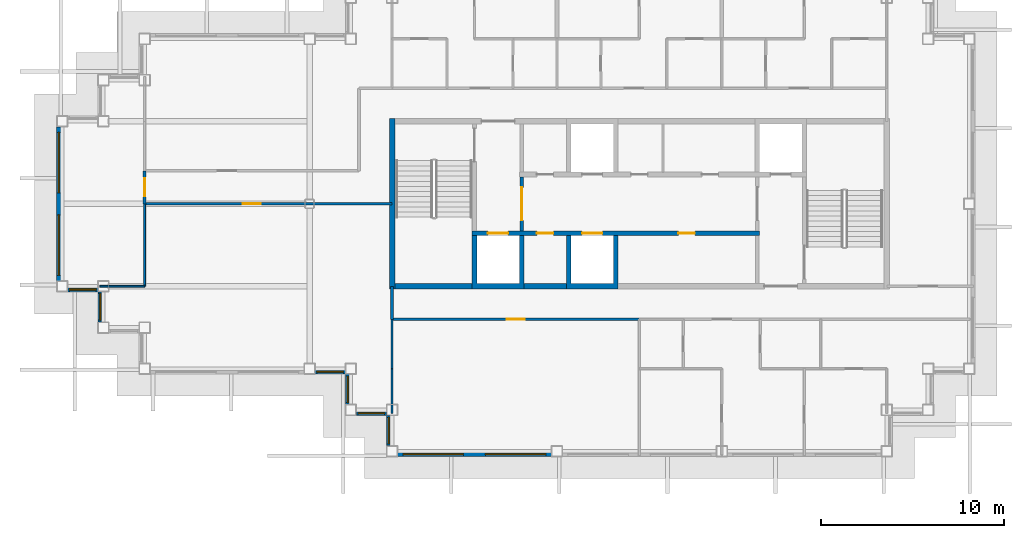
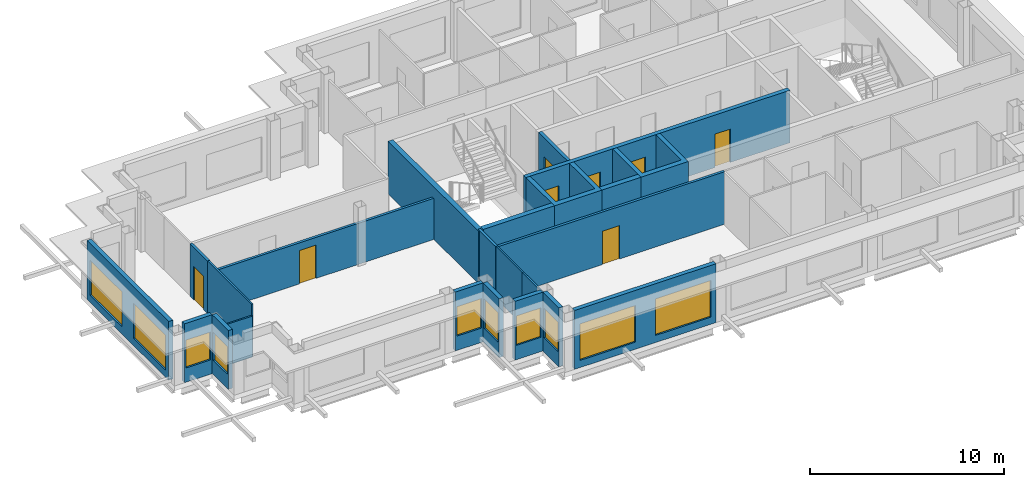
# One storey, part 2 of 11: 23 walls, 10 windows, 8 doors, 18 openings.
"""IFC4 building model written with IfcOpenShell, lengths in metres."""

from ifc_helpers import new_model, si_unit, direction, frame, frame_2d, origin, place, context, subcontext, project, spatial, polyline, rectangle, outline, extrude, material, layer, layer_set, type_object, element, fill, save


model = new_model("IFC4")

# Units and contexts
model_context = context("Model", 3, precision=1e-05, world=origin(), true_north=direction((0.0, 1.0)))
body_context = subcontext(model_context, "Body", "Model", "MODEL_VIEW")
ifc_project = project(units=[si_unit("LENGTHUNIT", "METRE"), si_unit("AREAUNIT", "SQUARE_METRE"), si_unit("VOLUMEUNIT", "CUBIC_METRE"), si_unit("PLANEANGLEUNIT", "RADIAN"), si_unit("MASSUNIT", "GRAM", prefix="KILO")], contexts=[model_context])

# Site, building, storey
site_placement = place(None, origin())
site = spatial("IfcSite", under=ifc_project, at=site_placement, CompositionType="ELEMENT")
building_placement = place(site_placement, origin())
building = spatial("IfcBuilding", under=site, at=building_placement, Name="Caravel Reach Hotel and Residences", CompositionType="ELEMENT")
storey_placement = place(building_placement, frame((0.0, 0.0, 274.89990234375)))
storey = spatial("IfcBuildingStorey", under=building, at=storey_placement, Name="L70", CompositionType="ELEMENT", Elevation=274.89990234375)

# Walls
ifc_material_1 = material(Name="Concrete C60", Category="concrete")
ifc_layer_1 = layer(ifc_material_1, 0.300048828125)
ifc_layer_set_1 = layer_set([ifc_layer_1], Name="Core wall 300 mm EI 120")
wall_type_1 = type_object("IfcWallType", Name="Core wall 300 mm EI 120", PredefinedType="SHEAR", material=ifc_layer_set_1)
wall_1_placement = place(storey_placement, frame((18.14990234375, 22.5, 0.0), z_axis=(0.0, 0.0, 1.0), x_axis=(1.0, 0.0, 0.0)))
element("IfcWall", 1, at=wall_1_placement, inside=storey, type_object=wall_type_1, Name="L70 core wall S1", PredefinedType="SHEAR", context=body_context, shape_type="SweptSolid", body=[
    extrude(rectangle(XDim=4.22509765625, YDim=0.300048828125, at=frame_2d((2.112548828125, 0.0))), origin(), (0.0, 0.0, 1.0), 3.300048828125),
])
wall_2_placement = place(storey_placement, frame((25.196533203125, 22.5, 0.0), z_axis=(0.0, 0.0, 1.0), x_axis=(1.0, 0.0, 0.0)))
element("IfcWall", 2, at=wall_2_placement, inside=storey, type_object=wall_type_1, Name="L70 core wall S2", PredefinedType="SHEAR", context=body_context, shape_type="SweptSolid", body=[
    extrude(rectangle(XDim=2.3212890625, YDim=0.300048828125, at=frame_2d((1.16064453125, 0.0))), origin(), (0.0, 0.0, 1.0), 3.300048828125),
])
wall_3_placement = place(storey_placement, frame((18.0, 22.35009765625, 0.0), z_axis=(0.0, 0.0, 1.0), x_axis=(0.0, 1.0, 0.0)))
element("IfcWall", 3, at=wall_3_placement, inside=storey, type_object=wall_type_1, Name="L70 core wall W", PredefinedType="SHEAR", context=body_context, shape_type="SweptSolid", body=[
    extrude(rectangle(XDim=9.2998046875, YDim=0.300048828125, at=frame_2d((4.64990234375, 0.0))), origin(), (0.0, 0.0, 1.0), 3.300048828125),
])

# Wall, opening, door
ifc_material_2 = material(Name="Gypsum board on steel stud, fire-rated", Category="steel")
ifc_layer_2 = layer(ifc_material_2, 0.14990234375)
ifc_layer_set_2 = layer_set([ifc_layer_2], Name="Corridor wall 150 mm EI 60")
wall_type_2 = type_object("IfcWallType", Name="Corridor wall 150 mm EI 60", PredefinedType="PARTITIONING", material=ifc_layer_set_2)
wall_4_placement = place(storey_placement, frame((18.0, 20.699951171875, 0.0), z_axis=(0.0, 0.0, 1.0), x_axis=(1.0, 0.0, 0.0)))
wall_4 = element("IfcWall", 4, at=wall_4_placement, inside=storey, type_object=wall_type_2, Name="L70 wall w001", PredefinedType="PARTITIONING", context=body_context, shape_type="SweptSolid", body=[
    extrude(rectangle(XDim=13.5, YDim=0.14990234375, at=frame_2d((6.75, 0.0))), origin(), (0.0, 0.0, 1.0), 3.300048828125),
])
opening_1_placement = place(wall_4_placement, frame((6.25, 0.0, 0.0)))
opening_1 = element("IfcOpeningElement", 5, at=opening_1_placement, cuts=wall_4, Name="Opening D70-030", PredefinedType="OPENING", context=body_context, shape_type="SweptSolid", body=[
    extrude(rectangle(XDim=1.0, YDim=2.10009765625, at=frame_2d((0.5, 1.050048828125))), frame((0.0, 0.0849609375, 0.0), z_axis=(0.0, -1.0, 0.0), x_axis=(1.0, 0.0, 0.0)), (0.0, 0.0, 1.0), 0.169921875),
])
ifc_material_3 = material(Name="Steel fire door leaf", Category="steel")
door_type_1 = type_object("IfcDoorType", Name="Fire door 1000 x 2100 EI 60", OperationType="SINGLE_SWING_LEFT", PredefinedType="DOOR", material=ifc_material_3)
door_1_placement = place(opening_1_placement, origin())
door_1 = element("IfcDoor", 6, at=door_1_placement, inside=storey, type_object=door_type_1, Name="door D70-030", OperationType="SINGLE_SWING_LEFT", OverallHeight=2.10009765625, OverallWidth=1.0, PredefinedType="DOOR", context=body_context, shape_type="SweptSolid", body=[
    extrude(rectangle(XDim=1.0, YDim=2.10009765625, at=frame_2d((0.5, 1.050048828125))), frame((0.0, 0.02490234375, 0.0), z_axis=(0.0, -1.0, 0.0), x_axis=(1.0, 0.0, 0.0)), (0.0, 0.0, 1.0), 0.050048828125),
])
fill(opening_1, door_1)

wall_5_placement = place(storey_placement, frame((4.5, 27.0, 0.0), z_axis=(0.0, 0.0, 1.0), x_axis=(1.0, 0.0, 0.0)))
wall_5 = element("IfcWall", 7, at=wall_5_placement, inside=storey, type_object=wall_type_2, Name="L70 wall w007", PredefinedType="PARTITIONING", context=body_context, shape_type="SweptSolid", body=[
    extrude(rectangle(XDim=13.5, YDim=0.14990234375, at=frame_2d((6.75, 0.0))), origin(), (0.0, 0.0, 1.0), 2.580078125),
])
opening_2_placement = place(wall_5_placement, frame((5.35009765625, 0.0, 0.0)))
opening_2 = element("IfcOpeningElement", 8, at=opening_2_placement, cuts=wall_5, Name="Opening D70-029", PredefinedType="OPENING", context=body_context, shape_type="SweptSolid", body=[
    extrude(rectangle(XDim=1.0, YDim=2.10009765625, at=frame_2d((0.5, 1.050048828125))), frame((0.0, 0.0849609375, 0.0), z_axis=(0.0, -1.0, 0.0), x_axis=(1.0, 0.0, 0.0)), (0.0, 0.0, 1.0), 0.169921875),
])
door_2_placement = place(opening_2_placement, origin())
door_2 = element("IfcDoor", 9, at=door_2_placement, inside=storey, type_object=door_type_1, Name="door D70-029", OperationType="SINGLE_SWING_LEFT", OverallHeight=2.10009765625, OverallWidth=1.0, PredefinedType="DOOR", context=body_context, shape_type="SweptSolid", body=[
    extrude(rectangle(XDim=1.0, YDim=2.10009765625, at=frame_2d((0.5, 1.050048828125))), frame((0.0, 0.02490234375, 0.0), z_axis=(0.0, -1.0, 0.0), x_axis=(1.0, 0.0, 0.0)), (0.0, 0.0, 1.0), 0.050048828125),
])
fill(opening_2, door_2)

# Wall
wall_6_placement = place(storey_placement, frame((18.0, 20.699951171875, 0.0), z_axis=(0.0, 0.0, 1.0), x_axis=(0.0, 1.0, 0.0)))
element("IfcWall", 10, at=wall_6_placement, inside=storey, type_object=wall_type_2, Name="L70 wall w018", PredefinedType="PARTITIONING", context=body_context, shape_type="SweptSolid", body=[
    extrude(rectangle(XDim=1.800048828125, YDim=0.14990234375, at=frame_2d((0.89990234375, 0.0))), origin(), (0.0, 0.0, 1.0), 3.300048828125),
])

# Wall, opening, door
wall_7_placement = place(storey_placement, frame((4.5, 27.0, 0.0), z_axis=(0.0, 0.0, 1.0), x_axis=(0.0, 1.0, 0.0)))
wall_7 = element("IfcWall", 11, at=wall_7_placement, inside=storey, type_object=wall_type_2, Name="L70 wall w019", PredefinedType="PARTITIONING", context=body_context, shape_type="SweptSolid", body=[
    extrude(rectangle(XDim=1.800048828125, YDim=0.14990234375, at=frame_2d((0.89990234375, 0.0))), origin(), (0.0, 0.0, 1.0), 3.300048828125),
])
opening_3_placement = place(wall_7_placement, frame((0.39990234375, 0.0, 0.0)))
opening_3 = element("IfcOpeningElement", 12, at=opening_3_placement, cuts=wall_7, Name="Opening D70-037", PredefinedType="OPENING", context=body_context, shape_type="SweptSolid", body=[
    extrude(rectangle(XDim=1.0, YDim=2.10009765625, at=frame_2d((0.5, 1.050048828125))), frame((0.0, 0.0849609375, 0.0), z_axis=(0.0, -1.0, 0.0), x_axis=(1.0, 0.0, 0.0)), (0.0, 0.0, 1.0), 0.169921875),
])
door_3_placement = place(opening_3_placement, origin())
door_3 = element("IfcDoor", 13, at=door_3_placement, inside=storey, type_object=door_type_1, Name="door D70-037", OperationType="SINGLE_SWING_RIGHT", OverallHeight=2.10009765625, OverallWidth=1.0, PredefinedType="DOOR", context=body_context, shape_type="SweptSolid", body=[
    extrude(rectangle(XDim=1.0, YDim=2.10009765625, at=frame_2d((0.5, 1.050048828125))), frame((0.0, 0.02490234375, 0.0), z_axis=(0.0, -1.0, 0.0), x_axis=(1.0, 0.0, 0.0)), (0.0, 0.0, 1.0), 0.050048828125),
])
fill(opening_3, door_3)

# Wall, opening, window
ifc_material_4 = material(Name="Insulated rainscreen wall, aluminium cladding", Category="aluminium")
ifc_layer_3 = layer(ifc_material_4, 0.25)
ifc_layer_set_3 = layer_set([ifc_layer_3], Name="EW1 Tower rainscreen wall")
wall_type_3 = type_object("IfcWallType", Name="EW1 Tower rainscreen wall", PredefinedType="SOLIDWALL", material=ifc_layer_set_3)
wall_8_placement = place(storey_placement, frame((15.574951171875, 17.699951171875, 0.0), z_axis=(0.0, 0.0, 1.0), x_axis=(0.0, -1.0, 0.0)))
wall_8 = element("IfcWall", 14, at=wall_8_placement, inside=storey, type_object=wall_type_3, Name="External wall L70 W1.1", PredefinedType="SOLIDWALL", context=body_context, shape_type="SweptSolid", body=[
    extrude(rectangle(XDim=1.64990234375, YDim=0.25, at=frame_2d((0.824951171875, 0.0))), origin(), (0.0, 0.0, 1.0), 3.7001953125),
])
opening_4_placement = place(wall_8_placement, frame((0.10009765625, 0.0, 0.89990234375)))
opening_4 = element("IfcOpeningElement", 15, at=opening_4_placement, cuts=wall_8, Name="Opening WN25", PredefinedType="OPENING", context=body_context, shape_type="SweptSolid", body=[
    extrude(rectangle(XDim=1.449951171875, YDim=1.85009765625, at=frame_2d((0.72509765625, 0.925048828125))), frame((0.0, 0.135009765625, 0.0), z_axis=(0.0, -1.0, 0.0), x_axis=(1.0, 0.0, 0.0)), (0.0, 0.0, 1.0), 0.27001953125),
])
ifc_material_5 = material(Name="Dark low-e glazing in black aluminium frame", Category="aluminium")
window_type_1 = type_object("IfcWindowType", Name="Residence bedroom window 1450 x 1850", PartitioningType="SINGLE_PANEL", PredefinedType="WINDOW", material=ifc_material_5)
window_1_placement = place(opening_4_placement, origin())
window_1 = element("IfcWindow", 16, at=window_1_placement, inside=storey, type_object=window_type_1, Name="Window L70 W1.1.1", OverallHeight=1.85009765625, OverallWidth=1.449951171875, PartitioningType="SINGLE_PANEL", PredefinedType="WINDOW", context=body_context, shape_type="SweptSolid", body=[
    extrude(rectangle(XDim=1.449951171875, YDim=1.85009765625, at=frame_2d((0.72509765625, 0.925048828125))), frame((0.0, 0.030029296875, 0.0), z_axis=(0.0, -1.0, 0.0), x_axis=(1.0, 0.0, 0.0)), (0.0, 0.0, 1.0), 0.06005859375),
])
fill(opening_4, window_1)

wall_9_placement = place(storey_placement, frame((16.050048828125, 15.574951171875, 0.0), z_axis=(0.0, 0.0, 1.0), x_axis=(1.0, 0.0, 0.0)))
wall_9 = element("IfcWall", 17, at=wall_9_placement, inside=storey, type_object=wall_type_3, Name="External wall L70 S2.1", PredefinedType="SOLIDWALL", context=body_context, shape_type="SweptSolid", body=[
    extrude(rectangle(XDim=1.64990234375, YDim=0.25, at=frame_2d((0.824951171875, 0.0))), origin(), (0.0, 0.0, 1.0), 3.7001953125),
])
opening_5_placement = place(wall_9_placement, frame((0.10009765625, 0.0, 0.89990234375)))
opening_5 = element("IfcOpeningElement", 18, at=opening_5_placement, cuts=wall_9, Name="Opening WN25", PredefinedType="OPENING", context=body_context, shape_type="SweptSolid", body=[
    extrude(rectangle(XDim=1.449951171875, YDim=1.85009765625, at=frame_2d((0.72509765625, 0.925048828125))), frame((0.0, 0.135009765625, 0.0), z_axis=(0.0, -1.0, 0.0), x_axis=(1.0, 0.0, 0.0)), (0.0, 0.0, 1.0), 0.27001953125),
])
window_2_placement = place(opening_5_placement, origin())
window_2 = element("IfcWindow", 19, at=window_2_placement, inside=storey, type_object=window_type_1, Name="Window L70 S2.1.1", OverallHeight=1.85009765625, OverallWidth=1.449951171875, PartitioningType="SINGLE_PANEL", PredefinedType="WINDOW", context=body_context, shape_type="SweptSolid", body=[
    extrude(rectangle(XDim=1.449951171875, YDim=1.85009765625, at=frame_2d((0.72509765625, 0.925048828125))), frame((0.0, 0.030029296875, 0.0), z_axis=(0.0, -1.0, 0.0), x_axis=(1.0, 0.0, 0.0)), (0.0, 0.0, 1.0), 0.06005859375),
])
fill(opening_5, window_2)

wall_10_placement = place(storey_placement, frame((17.824951171875, 15.449951171875, 0.0), z_axis=(0.0, 0.0, 1.0), x_axis=(0.0, -1.0, 0.0)))
wall_10 = element("IfcWall", 20, at=wall_10_placement, inside=storey, type_object=wall_type_3, Name="External wall L70 W3.1", PredefinedType="SOLIDWALL", context=body_context, shape_type="SweptSolid", body=[
    extrude(rectangle(XDim=1.64990234375, YDim=0.25, at=frame_2d((0.824951171875, 0.0))), origin(), (0.0, 0.0, 1.0), 3.7001953125),
])
opening_6_placement = place(wall_10_placement, frame((0.10009765625, 0.0, 0.89990234375)))
opening_6 = element("IfcOpeningElement", 21, at=opening_6_placement, cuts=wall_10, Name="Opening WN25", PredefinedType="OPENING", context=body_context, shape_type="SweptSolid", body=[
    extrude(rectangle(XDim=1.449951171875, YDim=1.85009765625, at=frame_2d((0.72509765625, 0.925048828125))), frame((0.0, 0.135009765625, 0.0), z_axis=(0.0, -1.0, 0.0), x_axis=(1.0, 0.0, 0.0)), (0.0, 0.0, 1.0), 0.27001953125),
])
window_3_placement = place(opening_6_placement, origin())
window_3 = element("IfcWindow", 22, at=window_3_placement, inside=storey, type_object=window_type_1, Name="Window L70 W3.1.1", OverallHeight=1.85009765625, OverallWidth=1.449951171875, PartitioningType="SINGLE_PANEL", PredefinedType="WINDOW", context=body_context, shape_type="SweptSolid", body=[
    extrude(rectangle(XDim=1.449951171875, YDim=1.85009765625, at=frame_2d((0.72509765625, 0.925048828125))), frame((0.0, 0.030029296875, 0.0), z_axis=(0.0, -1.0, 0.0), x_axis=(1.0, 0.0, 0.0)), (0.0, 0.0, 1.0), 0.06005859375),
])
fill(opening_6, window_3)

# Wall, openings, windows
wall_11_placement = place(storey_placement, frame((18.300048828125, 13.324951171875, 0.0), z_axis=(0.0, 0.0, 1.0), x_axis=(1.0, 0.0, 0.0)))
wall_11 = element("IfcWall", 23, at=wall_11_placement, inside=storey, type_object=wall_type_3, Name="External wall L70 S4.1", PredefinedType="SOLIDWALL", context=body_context, shape_type="SweptSolid", body=[
    extrude(rectangle(XDim=8.39990234375, YDim=0.25, at=frame_2d((4.199951171875, 0.0))), origin(), (0.0, 0.0, 1.0), 3.7001953125),
])
opening_7_placement = place(wall_11_placement, frame((0.300048828125, 0.0, 0.449951171875)))
opening_7 = element("IfcOpeningElement", 24, at=opening_7_placement, cuts=wall_11, Name="Opening WN15", PredefinedType="OPENING", context=body_context, shape_type="SweptSolid", body=[
    extrude(rectangle(XDim=3.300048828125, YDim=2.300048828125, at=frame_2d((1.64990234375, 1.14990234375))), frame((0.0, 0.135009765625, 0.0), z_axis=(0.0, -1.0, 0.0), x_axis=(1.0, 0.0, 0.0)), (0.0, 0.0, 1.0), 0.27001953125),
])
opening_8_placement = place(wall_11_placement, frame((4.800048828125, 0.0, 0.449951171875)))
opening_8 = element("IfcOpeningElement", 25, at=opening_8_placement, cuts=wall_11, Name="Opening WN15", PredefinedType="OPENING", context=body_context, shape_type="SweptSolid", body=[
    extrude(rectangle(XDim=3.300048828125, YDim=2.300048828125, at=frame_2d((1.64990234375, 1.14990234375))), frame((0.0, 0.135009765625, 0.0), z_axis=(0.0, -1.0, 0.0), x_axis=(1.0, 0.0, 0.0)), (0.0, 0.0, 1.0), 0.27001953125),
])
ifc_material_6 = material(Name="Dark low-e glazing in black aluminium frame", Category="aluminium")
window_type_2 = type_object("IfcWindowType", Name="Residence living window 3300 x 2300", PartitioningType="SINGLE_PANEL", PredefinedType="WINDOW", material=ifc_material_6)
window_4_placement = place(opening_7_placement, origin())
window_4 = element("IfcWindow", 26, at=window_4_placement, inside=storey, type_object=window_type_2, Name="Window L70 S4.1.1", OverallHeight=2.300048828125, OverallWidth=3.300048828125, PartitioningType="SINGLE_PANEL", PredefinedType="WINDOW", context=body_context, shape_type="SweptSolid", body=[
    extrude(rectangle(XDim=3.300048828125, YDim=2.300048828125, at=frame_2d((1.64990234375, 1.14990234375))), frame((0.0, 0.030029296875, 0.0), z_axis=(0.0, -1.0, 0.0), x_axis=(1.0, 0.0, 0.0)), (0.0, 0.0, 1.0), 0.06005859375),
])
fill(opening_7, window_4)
window_5_placement = place(opening_8_placement, origin())
window_5 = element("IfcWindow", 27, at=window_5_placement, inside=storey, type_object=window_type_2, Name="Window L70 S4.1.2", OverallHeight=2.300048828125, OverallWidth=3.300048828125, PartitioningType="SINGLE_PANEL", PredefinedType="WINDOW", context=body_context, shape_type="SweptSolid", body=[
    extrude(rectangle(XDim=3.300048828125, YDim=2.300048828125, at=frame_2d((1.64990234375, 1.14990234375))), frame((0.0, 0.030029296875, 0.0), z_axis=(0.0, -1.0, 0.0), x_axis=(1.0, 0.0, 0.0)), (0.0, 0.0, 1.0), 0.06005859375),
])
fill(opening_8, window_5)

wall_12_placement = place(storey_placement, frame((-0.175048828125, 31.199951171875, 0.0), z_axis=(0.0, 0.0, 1.0), x_axis=(0.0, -1.0, 0.0)))
wall_12 = element("IfcWall", 28, at=wall_12_placement, inside=storey, type_object=wall_type_3, Name="External wall L70 W23.1", PredefinedType="SOLIDWALL", context=body_context, shape_type="SweptSolid", body=[
    extrude(rectangle(XDim=8.39990234375, YDim=0.25, at=frame_2d((4.199951171875, 0.0))), origin(), (0.0, 0.0, 1.0), 3.7001953125),
])
opening_9_placement = place(wall_12_placement, frame((0.300048828125, 0.0, 0.449951171875)))
opening_9 = element("IfcOpeningElement", 29, at=opening_9_placement, cuts=wall_12, Name="Opening WN19", PredefinedType="OPENING", context=body_context, shape_type="SweptSolid", body=[
    extrude(rectangle(XDim=3.300048828125, YDim=2.199951171875, at=frame_2d((1.64990234375, 1.10009765625))), frame((0.0, 0.135009765625, 0.0), z_axis=(0.0, -1.0, 0.0), x_axis=(1.0, 0.0, 0.0)), (0.0, 0.0, 1.0), 0.27001953125),
])
opening_10_placement = place(wall_12_placement, frame((4.800048828125, 0.0, 0.449951171875)))
opening_10 = element("IfcOpeningElement", 30, at=opening_10_placement, cuts=wall_12, Name="Opening WN19", PredefinedType="OPENING", context=body_context, shape_type="SweptSolid", body=[
    extrude(rectangle(XDim=3.300048828125, YDim=2.199951171875, at=frame_2d((1.64990234375, 1.10009765625))), frame((0.0, 0.135009765625, 0.0), z_axis=(0.0, -1.0, 0.0), x_axis=(1.0, 0.0, 0.0)), (0.0, 0.0, 1.0), 0.27001953125),
])
ifc_material_7 = material(Name="Dark low-e glazing in black aluminium frame", Category="aluminium")
window_type_3 = type_object("IfcWindowType", Name="Residence living window 3300 x 2200", PartitioningType="SINGLE_PANEL", PredefinedType="WINDOW", material=ifc_material_7)
window_6_placement = place(opening_9_placement, origin())
window_6 = element("IfcWindow", 31, at=window_6_placement, inside=storey, type_object=window_type_3, Name="Window L70 W23.1.1", OverallHeight=2.199951171875, OverallWidth=3.300048828125, PartitioningType="SINGLE_PANEL", PredefinedType="WINDOW", context=body_context, shape_type="SweptSolid", body=[
    extrude(rectangle(XDim=3.300048828125, YDim=2.199951171875, at=frame_2d((1.64990234375, 1.10009765625))), frame((0.0, 0.030029296875, 0.0), z_axis=(0.0, -1.0, 0.0), x_axis=(1.0, 0.0, 0.0)), (0.0, 0.0, 1.0), 0.06005859375),
])
fill(opening_9, window_6)
window_7_placement = place(opening_10_placement, origin())
window_7 = element("IfcWindow", 32, at=window_7_placement, inside=storey, type_object=window_type_3, Name="Window L70 W23.1.2", OverallHeight=2.199951171875, OverallWidth=3.300048828125, PartitioningType="SINGLE_PANEL", PredefinedType="WINDOW", context=body_context, shape_type="SweptSolid", body=[
    extrude(rectangle(XDim=3.300048828125, YDim=2.199951171875, at=frame_2d((1.64990234375, 1.10009765625))), frame((0.0, 0.030029296875, 0.0), z_axis=(0.0, -1.0, 0.0), x_axis=(1.0, 0.0, 0.0)), (0.0, 0.0, 1.0), 0.06005859375),
])
fill(opening_10, window_7)

# Wall, opening, window
wall_13_placement = place(storey_placement, frame((0.300048828125, 22.324951171875, 0.0), z_axis=(0.0, 0.0, 1.0), x_axis=(1.0, 0.0, 0.0)))
wall_13 = element("IfcWall", 33, at=wall_13_placement, inside=storey, type_object=wall_type_3, Name="External wall L70 S24.1", PredefinedType="SOLIDWALL", context=body_context, shape_type="SweptSolid", body=[
    extrude(rectangle(XDim=1.64990234375, YDim=0.25, at=frame_2d((0.824951171875, 0.0))), origin(), (0.0, 0.0, 1.0), 3.7001953125),
])
opening_11_placement = place(wall_13_placement, frame((0.10009765625, 0.0, 0.89990234375)))
opening_11 = element("IfcOpeningElement", 34, at=opening_11_placement, cuts=wall_13, Name="Opening WN26", PredefinedType="OPENING", context=body_context, shape_type="SweptSolid", body=[
    extrude(rectangle(XDim=1.449951171875, YDim=1.75, at=frame_2d((0.72509765625, 0.875))), frame((0.0, 0.135009765625, 0.0), z_axis=(0.0, -1.0, 0.0), x_axis=(1.0, 0.0, 0.0)), (0.0, 0.0, 1.0), 0.27001953125),
])
ifc_material_8 = material(Name="Dark low-e glazing in black aluminium frame", Category="aluminium")
window_type_4 = type_object("IfcWindowType", Name="Residence bedroom window 1450 x 1750", PartitioningType="SINGLE_PANEL", PredefinedType="WINDOW", material=ifc_material_8)
window_8_placement = place(opening_11_placement, origin())
window_8 = element("IfcWindow", 35, at=window_8_placement, inside=storey, type_object=window_type_4, Name="Window L70 S24.1.1", OverallHeight=1.75, OverallWidth=1.449951171875, PartitioningType="SINGLE_PANEL", PredefinedType="WINDOW", context=body_context, shape_type="SweptSolid", body=[
    extrude(rectangle(XDim=1.449951171875, YDim=1.75, at=frame_2d((0.72509765625, 0.875))), frame((0.0, 0.030029296875, 0.0), z_axis=(0.0, -1.0, 0.0), x_axis=(1.0, 0.0, 0.0)), (0.0, 0.0, 1.0), 0.06005859375),
])
fill(opening_11, window_8)

wall_14_placement = place(storey_placement, frame((2.074951171875, 22.199951171875, 0.0), z_axis=(0.0, 0.0, 1.0), x_axis=(0.0, -1.0, 0.0)))
wall_14 = element("IfcWall", 36, at=wall_14_placement, inside=storey, type_object=wall_type_3, Name="External wall L70 W25.1", PredefinedType="SOLIDWALL", context=body_context, shape_type="SweptSolid", body=[
    extrude(rectangle(XDim=1.64990234375, YDim=0.25, at=frame_2d((0.824951171875, 0.0))), origin(), (0.0, 0.0, 1.0), 3.7001953125),
])
opening_12_placement = place(wall_14_placement, frame((0.10009765625, 0.0, 0.89990234375)))
opening_12 = element("IfcOpeningElement", 37, at=opening_12_placement, cuts=wall_14, Name="Opening WN26", PredefinedType="OPENING", context=body_context, shape_type="SweptSolid", body=[
    extrude(rectangle(XDim=1.449951171875, YDim=1.75, at=frame_2d((0.72509765625, 0.875))), frame((0.0, 0.135009765625, 0.0), z_axis=(0.0, -1.0, 0.0), x_axis=(1.0, 0.0, 0.0)), (0.0, 0.0, 1.0), 0.27001953125),
])
window_9_placement = place(opening_12_placement, origin())
window_9 = element("IfcWindow", 38, at=window_9_placement, inside=storey, type_object=window_type_4, Name="Window L70 W25.1.1", OverallHeight=1.75, OverallWidth=1.449951171875, PartitioningType="SINGLE_PANEL", PredefinedType="WINDOW", context=body_context, shape_type="SweptSolid", body=[
    extrude(rectangle(XDim=1.449951171875, YDim=1.75, at=frame_2d((0.72509765625, 0.875))), frame((0.0, 0.030029296875, 0.0), z_axis=(0.0, -1.0, 0.0), x_axis=(1.0, 0.0, 0.0)), (0.0, 0.0, 1.0), 0.06005859375),
])
fill(opening_12, window_9)

wall_15_placement = place(storey_placement, frame((13.800048828125, 17.824951171875, 0.0), z_axis=(0.0, 0.0, 1.0), x_axis=(1.0, 0.0, 0.0)))
wall_15 = element("IfcWall", 39, at=wall_15_placement, inside=storey, type_object=wall_type_3, Name="External wall L70 S28.2", PredefinedType="SOLIDWALL", context=body_context, shape_type="SweptSolid", body=[
    extrude(rectangle(XDim=1.64990234375, YDim=0.25, at=frame_2d((0.824951171875, 0.0))), origin(), (0.0, 0.0, 1.0), 3.7001953125),
])
opening_13_placement = place(wall_15_placement, frame((0.10009765625, 0.0, 0.89990234375)))
opening_13 = element("IfcOpeningElement", 40, at=opening_13_placement, cuts=wall_15, Name="Opening WN25", PredefinedType="OPENING", context=body_context, shape_type="SweptSolid", body=[
    extrude(rectangle(XDim=1.449951171875, YDim=1.85009765625, at=frame_2d((0.72509765625, 0.925048828125))), frame((0.0, 0.135009765625, 0.0), z_axis=(0.0, -1.0, 0.0), x_axis=(1.0, 0.0, 0.0)), (0.0, 0.0, 1.0), 0.27001953125),
])
window_10_placement = place(opening_13_placement, origin())
window_10 = element("IfcWindow", 41, at=window_10_placement, inside=storey, type_object=window_type_1, Name="Window L70 S28.2.1", OverallHeight=1.85009765625, OverallWidth=1.449951171875, PartitioningType="SINGLE_PANEL", PredefinedType="WINDOW", context=body_context, shape_type="SweptSolid", body=[
    extrude(rectangle(XDim=1.449951171875, YDim=1.85009765625, at=frame_2d((0.72509765625, 0.925048828125))), frame((0.0, 0.030029296875, 0.0), z_axis=(0.0, -1.0, 0.0), x_axis=(1.0, 0.0, 0.0)), (0.0, 0.0, 1.0), 0.06005859375),
])
fill(opening_13, window_10)

# Wall, opening, door
ifc_material_9 = material(Name="Autoclaved aerated block wall")
ifc_layer_4 = layer(ifc_material_9, 0.199951171875)
ifc_layer_set_4 = layer_set([ifc_layer_4], Name="Fire lobby wall 200 mm EI 120")
wall_type_4 = type_object("IfcWallType", Name="Fire lobby wall 200 mm EI 120", PredefinedType="PARTITIONING", material=ifc_layer_set_4)
wall_16_placement = place(storey_placement, frame((25.071533203125, 25.52490234375, 0.0), z_axis=(0.0, 0.0, 1.0), x_axis=(0.0, 1.0, 0.0)))
wall_16 = element("IfcWall", 42, at=wall_16_placement, inside=storey, type_object=wall_type_4, Name="L70 lobby W wall", PredefinedType="PARTITIONING", context=body_context, shape_type="SweptSolid", body=[
    extrude(rectangle(XDim=2.9501953125, YDim=0.199951171875, at=frame_2d((1.47509765625, 0.0))), origin(), (0.0, 0.0, 1.0), 3.300048828125),
])
opening_14_placement = place(wall_16_placement, frame((0.574951171875, 0.0, 0.0)))
opening_14 = element("IfcOpeningElement", 43, at=opening_14_placement, cuts=wall_16, Name="Opening D70-012", PredefinedType="OPENING", context=body_context, shape_type="SweptSolid", body=[
    extrude(rectangle(XDim=1.800048828125, YDim=2.10009765625, at=frame_2d((0.89990234375, 1.050048828125))), frame((0.0, 0.10986328125, 0.0), z_axis=(0.0, -1.0, 0.0), x_axis=(1.0, 0.0, 0.0)), (0.0, 0.0, 1.0), 0.219970703125),
])
ifc_material_10 = material(Name="Steel fire door leaf", Category="steel")
door_type_2 = type_object("IfcDoorType", Name="Fire lobby door pair 1800 x 2100 EI 90", OperationType="DOUBLE_DOOR_SINGLE_SWING", PredefinedType="DOOR", material=ifc_material_10)
door_4_placement = place(opening_14_placement, origin())
door_4 = element("IfcDoor", 44, at=door_4_placement, inside=storey, type_object=door_type_2, Name="lobby W door pair", OperationType="DOUBLE_DOOR_SINGLE_SWING", OverallHeight=2.10009765625, OverallWidth=1.800048828125, PredefinedType="DOOR", context=body_context, shape_type="SweptSolid", body=[
    extrude(rectangle(XDim=1.800048828125, YDim=2.10009765625, at=frame_2d((0.89990234375, 1.050048828125))), frame((0.0, 0.02490234375, 0.0), z_axis=(0.0, -1.0, 0.0), x_axis=(1.0, 0.0, 0.0)), (0.0, 0.0, 1.0), 0.050048828125),
])
fill(opening_14, door_4)

# Walls
ifc_material_11 = material(Name="Gypsum board on steel stud", Category="steel")
ifc_layer_5 = layer(ifc_material_11, 0.10009765625)
ifc_layer_set_5 = layer_set([ifc_layer_5], Name="Partition 100 mm")
wall_type_5 = type_object("IfcWallType", Name="Partition 100 mm", PredefinedType="PARTITIONING", material=ifc_layer_set_5)
wall_17_placement = place(storey_placement, frame((2.06005859375, 22.5, 0.0), z_axis=(0.0, 0.0, 1.0), x_axis=(1.0, 0.0, 0.0)))
element("IfcWall", 45, at=wall_17_placement, inside=storey, type_object=wall_type_5, Name="L70 wall w025", PredefinedType="PARTITIONING", context=body_context, shape_type="SweptSolid", body=[
    extrude(rectangle(XDim=2.43896484375, YDim=0.10009765625, at=frame_2d((1.219482421875, 0.0))), origin(), (0.0, 0.0, 1.0), 2.580078125),
])
wall_18_placement = place(storey_placement, frame((18.0, 15.56005859375, 0.0), z_axis=(0.0, 0.0, 1.0), x_axis=(0.0, 1.0, 0.0)))
element("IfcWall", 46, at=wall_18_placement, inside=storey, type_object=wall_type_5, Name="L70 wall w034", PredefinedType="PARTITIONING", context=body_context, shape_type="SweptSolid", body=[
    extrude(rectangle(XDim=2.43896484375, YDim=0.10009765625, at=frame_2d((1.219482421875, 0.0))), origin(), (0.0, 0.0, 1.0), 3.300048828125),
])
wall_19_placement = place(storey_placement, frame((18.0, 18.0, 0.0), z_axis=(0.0, 0.0, 1.0), x_axis=(0.0, 1.0, 0.0)))
element("IfcWall", 47, at=wall_19_placement, inside=storey, type_object=wall_type_5, Name="L70 wall w035", PredefinedType="PARTITIONING", context=body_context, shape_type="SweptSolid", body=[
    extrude(rectangle(XDim=2.699951171875, YDim=0.10009765625, at=frame_2d((1.35009765625, 0.0))), origin(), (0.0, 0.0, 1.0), 3.300048828125),
])
wall_20_placement = place(storey_placement, frame((4.5, 22.5, 0.0), z_axis=(0.0, 0.0, 1.0), x_axis=(0.0, 1.0, 0.0)))
element("IfcWall", 48, at=wall_20_placement, inside=storey, type_object=wall_type_5, Name="L70 wall w045", PredefinedType="PARTITIONING", context=body_context, shape_type="SweptSolid", body=[
    extrude(rectangle(XDim=4.5, YDim=0.10009765625, at=frame_2d((2.25, 0.0))), origin(), (0.0, 0.0, 1.0), 3.300048828125),
])
ifc_material_12 = material(Name="Concrete C60", Category="concrete")
ifc_layer_6 = layer(ifc_material_12, 0.25)
ifc_layer_set_6 = layer_set([ifc_layer_6], Name="Shaft wall 250 mm EI 120")
wall_type_6 = type_object("IfcWallType", Name="Shaft wall 250 mm EI 120", PredefinedType="SHEAR", material=ifc_layer_set_6)
wall_21_placement = place(storey_placement, origin())
element("IfcWall", 49, at=wall_21_placement, inside=storey, type_object=wall_type_6, Name="L70 lift shaft wall S1", PredefinedType="SHEAR", context=body_context, shape_type="SweptSolid", body=[
    extrude(outline(polyline([(22.375, 22.35009765625), (25.196533203125, 22.35009765625), (25.196533203125, 25.27490234375), (24.946533203125, 25.27490234375), (24.946533203125, 22.64990234375), (22.625, 22.64990234375), (22.625, 25.27490234375), (22.375, 25.27490234375), (22.375, 22.35009765625)])), origin(), (0.0, 0.0, 1.0), 3.300048828125),
])
wall_22_placement = place(storey_placement, origin())
element("IfcWall", 50, at=wall_22_placement, inside=storey, type_object=wall_type_6, Name="L70 lift shaft wall S2", PredefinedType="SHEAR", context=body_context, shape_type="SweptSolid", body=[
    extrude(outline(polyline([(27.517822265625, 22.35009765625), (30.33935546875, 22.35009765625), (30.33935546875, 25.27490234375), (30.08935546875, 25.27490234375), (30.08935546875, 22.64990234375), (27.767822265625, 22.64990234375), (27.767822265625, 25.27490234375), (27.517822265625, 25.27490234375), (27.517822265625, 22.35009765625)])), origin(), (0.0, 0.0, 1.0), 3.300048828125),
])

# Wall, openings, doors
wall_23_placement = place(storey_placement, frame((22.375, 25.39990234375, 0.0), z_axis=(0.0, 0.0, 1.0), x_axis=(1.0, 0.0, 0.0)))
wall_23 = element("IfcWall", 51, at=wall_23_placement, inside=storey, type_object=wall_type_6, Name="L70 lobby wall S1", PredefinedType="SHEAR", context=body_context, shape_type="SweptSolid", body=[
    extrude(rectangle(XDim=15.678466796875, YDim=0.25, at=frame_2d((7.83935546875, 0.0))), origin(), (0.0, 0.0, 1.0), 3.300048828125),
])
opening_15_placement = place(wall_23_placement, frame((6.003662109375, 0.0, 0.0)))
opening_15 = element("IfcOpeningElement", 52, at=opening_15_placement, cuts=wall_23, Name="Opening D70-001", PredefinedType="OPENING", context=body_context, shape_type="SweptSolid", body=[
    extrude(rectangle(XDim=1.10009765625, YDim=2.10009765625, at=frame_2d((0.550048828125, 1.050048828125))), frame((0.0, 0.135009765625, 0.0), z_axis=(0.0, -1.0, 0.0), x_axis=(1.0, 0.0, 0.0)), (0.0, 0.0, 1.0), 0.27001953125),
])
opening_16_placement = place(wall_23_placement, frame((0.860595703125, 0.0, 0.0)))
opening_16 = element("IfcOpeningElement", 53, at=opening_16_placement, cuts=wall_23, Name="Opening D70-003", PredefinedType="OPENING", context=body_context, shape_type="SweptSolid", body=[
    extrude(rectangle(XDim=1.10009765625, YDim=2.10009765625, at=frame_2d((0.550048828125, 1.050048828125))), frame((0.0, 0.135009765625, 0.0), z_axis=(0.0, -1.0, 0.0), x_axis=(1.0, 0.0, 0.0)), (0.0, 0.0, 1.0), 0.27001953125),
])
opening_17_placement = place(wall_23_placement, frame((3.531982421875, 0.0, 0.0)))
opening_17 = element("IfcOpeningElement", 54, at=opening_17_placement, cuts=wall_23, Name="Opening D70-005", PredefinedType="OPENING", context=body_context, shape_type="SweptSolid", body=[
    extrude(rectangle(XDim=0.89990234375, YDim=2.10009765625, at=frame_2d((0.449951171875, 1.050048828125))), frame((0.0, 0.135009765625, 0.0), z_axis=(0.0, -1.0, 0.0), x_axis=(1.0, 0.0, 0.0)), (0.0, 0.0, 1.0), 0.27001953125),
])
opening_18_placement = place(wall_23_placement, frame((11.246337890625, 0.0, 0.0)))
opening_18 = element("IfcOpeningElement", 55, at=opening_18_placement, cuts=wall_23, Name="Opening D70-006", PredefinedType="OPENING", context=body_context, shape_type="SweptSolid", body=[
    extrude(rectangle(XDim=0.89990234375, YDim=2.10009765625, at=frame_2d((0.449951171875, 1.050048828125))), frame((0.0, 0.135009765625, 0.0), z_axis=(0.0, -1.0, 0.0), x_axis=(1.0, 0.0, 0.0)), (0.0, 0.0, 1.0), 0.27001953125),
])
ifc_material_13 = material(Name="Stainless steel landing door", Category="steel")
door_type_3 = type_object("IfcDoorType", Name="Landing door LD 1100 x 2100 sliding", OperationType="DOUBLE_DOOR_SLIDING", PredefinedType="DOOR", material=ifc_material_13)
door_5_placement = place(opening_15_placement, origin())
door_5 = element("IfcDoor", 56, at=door_5_placement, inside=storey, type_object=door_type_3, Name="HP1 landing door", OperationType="DOUBLE_DOOR_SLIDING", OverallHeight=2.10009765625, OverallWidth=1.10009765625, PredefinedType="DOOR", context=body_context, shape_type="SweptSolid", body=[
    extrude(rectangle(XDim=1.10009765625, YDim=2.10009765625, at=frame_2d((0.550048828125, 1.050048828125))), frame((0.0, 0.02490234375, 0.0), z_axis=(0.0, -1.0, 0.0), x_axis=(1.0, 0.0, 0.0)), (0.0, 0.0, 1.0), 0.050048828125),
])
fill(opening_15, door_5)
door_6_placement = place(opening_16_placement, origin())
door_6 = element("IfcDoor", 57, at=door_6_placement, inside=storey, type_object=door_type_3, Name="FL1 landing door", OperationType="DOUBLE_DOOR_SLIDING", OverallHeight=2.10009765625, OverallWidth=1.10009765625, PredefinedType="DOOR", context=body_context, shape_type="SweptSolid", body=[
    extrude(rectangle(XDim=1.10009765625, YDim=2.10009765625, at=frame_2d((0.550048828125, 1.050048828125))), frame((0.0, 0.02490234375, 0.0), z_axis=(0.0, -1.0, 0.0), x_axis=(1.0, 0.0, 0.0)), (0.0, 0.0, 1.0), 0.050048828125),
])
fill(opening_16, door_6)
ifc_material_14 = material(Name="Steel fire door leaf", Category="steel")
door_type_4 = type_object("IfcDoorType", Name="Riser door 900 x 2100 EI 60", OperationType="SINGLE_SWING_LEFT", PredefinedType="DOOR", material=ifc_material_14)
door_7_placement = place(opening_17_placement, origin())
door_7 = element("IfcDoor", 58, at=door_7_placement, inside=storey, type_object=door_type_4, Name="Recycling store door", OperationType="SINGLE_SWING_LEFT", OverallHeight=2.10009765625, OverallWidth=0.89990234375, PredefinedType="DOOR", context=body_context, shape_type="SweptSolid", body=[
    extrude(rectangle(XDim=0.89990234375, YDim=2.10009765625, at=frame_2d((0.449951171875, 1.050048828125))), frame((0.0, 0.02490234375, 0.0), z_axis=(0.0, -1.0, 0.0), x_axis=(1.0, 0.0, 0.0)), (0.0, 0.0, 1.0), 0.050048828125),
])
fill(opening_17, door_7)
door_8_placement = place(opening_18_placement, origin())
door_8 = element("IfcDoor", 59, at=door_8_placement, inside=storey, type_object=door_type_4, Name="Residents' store door", OperationType="SINGLE_SWING_LEFT", OverallHeight=2.10009765625, OverallWidth=0.89990234375, PredefinedType="DOOR", context=body_context, shape_type="SweptSolid", body=[
    extrude(rectangle(XDim=0.89990234375, YDim=2.10009765625, at=frame_2d((0.449951171875, 1.050048828125))), frame((0.0, 0.02490234375, 0.0), z_axis=(0.0, -1.0, 0.0), x_axis=(1.0, 0.0, 0.0)), (0.0, 0.0, 1.0), 0.050048828125),
])
fill(opening_18, door_8)

save(model, "model.ifc")
